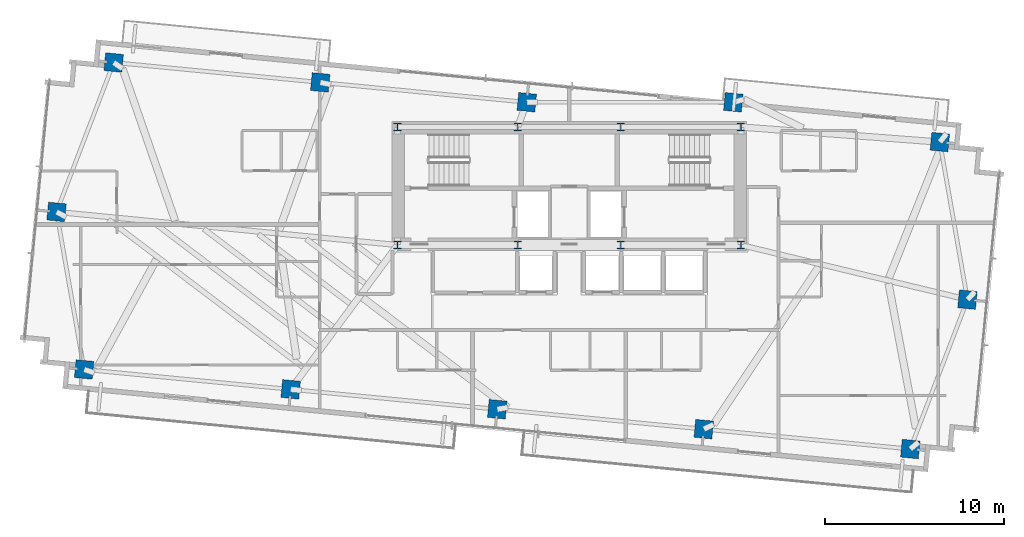
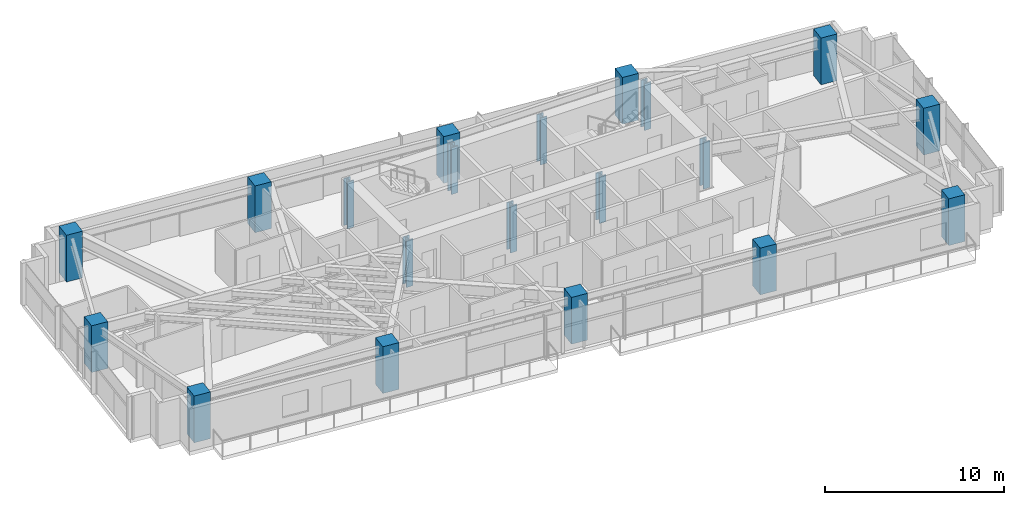
# One storey, part 1 of 20: 20 columns.
"""IFC4 building model written with IfcOpenShell, lengths in metres."""

from ifc_helpers import new_model, si_unit, direction, frame, origin, origin_2d, place, context, subcontext, project, spatial, rectangle, i_section, extrude, source, transform, mapped, material, material_profile, profile_set, type_object, type_shapes, element, save


model = new_model("IFC4")

# Units and contexts
model_context = context("Model", 3, precision=1e-05, world=origin(), true_north=direction((0.0, 1.0)))
body_context = subcontext(model_context, "Body", "Model", "MODEL_VIEW")
ifc_project = project(units=[si_unit("LENGTHUNIT", "METRE"), si_unit("AREAUNIT", "SQUARE_METRE"), si_unit("VOLUMEUNIT", "CUBIC_METRE"), si_unit("PLANEANGLEUNIT", "RADIAN"), si_unit("MASSUNIT", "GRAM", prefix="KILO")], contexts=[model_context])

# Site, building, storey
site_placement = place(None, origin())
site = spatial("IfcSite", under=ifc_project, at=site_placement, CompositionType="ELEMENT")
building_placement = place(site_placement, origin())
building = spatial("IfcBuilding", under=site, at=building_placement, Name="Astriad Promenade Condominiums", CompositionType="ELEMENT")
storey_placement = place(building_placement, frame((0.0, 0.0, 159.800048828125)))
storey = spatial("IfcBuildingStorey", under=building, at=storey_placement, Name="L46", CompositionType="ELEMENT", Elevation=159.800048828125)

# Columns
ifc_material_1 = material(Name="Steel ASTM A992 Grade 50", Category="steel")
ifc_material_profile_1 = material_profile(ifc_material_1, i_section(OverallWidth=0.42138671875, OverallDepth=0.464599609375, WebThickness=0.044921875, FlangeThickness=0.072509765625, FilletRadius=0.017822265625, at=origin_2d()), Name="W14X398")
ifc_profile_set_1 = profile_set([ifc_material_profile_1], Name="Steel ASTM A992 Grade 50")
column_type_1 = type_object("IfcColumnType", Name="STEEL CORE PILASTER W14X398", PredefinedType="PILASTER", material=ifc_profile_set_1)
shared_shape_1 = source(origin(), body_context, "Body", "SweptSolid", [
    extrude(i_section(OverallWidth=0.42138671875, OverallDepth=0.464599609375, WebThickness=0.044921875, FlangeThickness=0.072509765625, FilletRadius=0.017822265625, at=origin_2d()), origin(), (0.0, 0.0, 1.0), 3.196044921875),
])
type_shapes(column_type_1, [shared_shape_1])
for number, where, z_axis, x_axis, name in (
    (1, (26.39990234375, 17.39990234375, 0.001953125), (0.0, 0.0, 1.0), (1.0, 0.0, 0.0), "Core Pilaster Column CP1 (L46)"),
    (2, (33.1201171875, 17.39990234375, 0.001953125), (0.0, 0.0, 1.0), (1.0, 0.0, 0.0), "Core Pilaster Column CP2 (L46)"),
    (3, (38.8798828125, 17.39990234375, 0.001953125), (0.0, 0.0, 1.0), (1.0, 0.0, 0.0), "Core Pilaster Column CP3 (L46)"),
    (4, (45.60009765625, 17.39990234375, 0.001953125), (0.0, 0.0, 1.0), (1.0, 0.0, 0.0), "Core Pilaster Column CP4 (L46)"),
    (5, (26.39990234375, 24.0, 0.001953125), (0.0, 0.0, 1.0), (1.0, 0.0, 0.0), "Core Pilaster Column CP5 (L46)"),
    (6, (33.1201171875, 24.0, 0.001953125), (0.0, 0.0, 1.0), (1.0, 0.0, 0.0), "Core Pilaster Column CP6 (L46)"),
    (7, (38.8798828125, 24.0, 0.001953125), (0.0, 0.0, 1.0), (1.0, 0.0, 0.0), "Core Pilaster Column CP7 (L46)"),
    (8, (45.60009765625, 24.0, 0.001953125), (0.0, 0.0, 1.0), (1.0, 0.0, 0.0), "Core Pilaster Column CP8 (L46)"),
):
    element("IfcColumn", number, at=place(storey_placement, frame(where, z_axis=z_axis, x_axis=x_axis)), inside=storey, type_object=column_type_1, Name=name, PredefinedType="PILASTER", context=body_context, shape_type="MappedRepresentation", body=[
        mapped(shared_shape_1, transform((0.0, 0.0, 0.0), scale=1.0)),
    ])
ifc_material_2 = material(Name="Concrete C60/75", Category="concrete")
ifc_material_profile_2 = material_profile(ifc_material_2, rectangle(XDim=1.0, YDim=1.0, at=origin_2d()), Name="RC-COL-1000X1000")
ifc_profile_set_2 = profile_set([ifc_material_profile_2], Name="Concrete C60/75")
column_type_2 = type_object("IfcColumnType", Name="CONCRETE TOWER COLUMN 1000X1000", PredefinedType="COLUMN", material=ifc_profile_set_2)
shared_shape_2 = source(origin(), body_context, "Body", "SweptSolid", [
    extrude(rectangle(XDim=1.0, YDim=1.0, at=origin_2d()), origin(), (0.0, 0.0, 1.0), 3.194091796875),
])
type_shapes(column_type_2, [shared_shape_2])
for number, where, z_axis, x_axis, name in (
    (9, (8.880615234375, 10.443359375, 0.001953125), (0.0, 0.0, 1.0), (0.995396198367, -0.09584575252, 0.0), "Perimeter Column PC01 (L46)"),
    (10, (20.42724609375, 9.33154296875, 0.001953125), (0.0, 0.0, 1.0), (0.995396198367, -0.09584575252, 0.0), "Perimeter Column PC02 (L46)"),
    (11, (31.973876953125, 8.2197265625, 0.001953125), (0.0, 0.0, 1.0), (0.995396198367, -0.09584575252, 0.0), "Perimeter Column PC03 (L46)"),
    (12, (43.5205078125, 7.10791015625, 0.001953125), (0.0, 0.0, 1.0), (0.995396198367, -0.09584575252, 0.0), "Perimeter Column PC04 (L46)"),
    (13, (55.06689453125, 5.99609375, 0.001953125), (0.0, 0.0, 1.0), (0.995396198367, -0.09584575252, 0.0), "Perimeter Column PC05 (L46)"),
    (14, (10.532958984375, 27.60400390625, 0.001953125), (0.0, 0.0, 1.0), (0.995396198367, -0.09584575252, 0.0), "Perimeter Column PC06 (L46)"),
    (15, (22.07958984375, 26.4921875, 0.001953125), (0.0, 0.0, 1.0), (0.995396198367, -0.09584575252, 0.0), "Perimeter Column PC07 (L46)"),
    (16, (33.626220703125, 25.38037109375, 0.001953125), (0.0, 0.0, 1.0), (0.995396198367, -0.09584575252, 0.0), "Perimeter Column PC08 (L46)"),
    (17, (45.1728515625, 25.3798828125, 0.001953125), (0.0, 0.0, 1.0), (0.995396198367, -0.09584575252, 0.0), "Perimeter Column PC09 (L46)"),
    (18, (56.719482421875, 23.15673828125, 0.001953125), (0.0, 0.0, 1.0), (0.995396198367, -0.09584575252, 0.0), "Perimeter Column PC10 (L46)"),
    (19, (7.337890625, 19.251708984375, 0.001953125), (0.0, 0.0, 1.0), (0.995396198367, -0.09584575252, 0.0), "Perimeter Column PC11 (L46)"),
    (20, (58.26220703125, 14.348388671875, 0.001953125), (0.0, 0.0, 1.0), (0.995396198367, -0.09584575252, 0.0), "Perimeter Column PC12 (L46)"),
):
    element("IfcColumn", number, at=place(storey_placement, frame(where, z_axis=z_axis, x_axis=x_axis)), inside=storey, type_object=column_type_2, Name=name, PredefinedType="COLUMN", context=body_context, shape_type="MappedRepresentation", body=[
        mapped(shared_shape_2, transform((0.0, 0.0, 0.0), scale=1.0)),
    ])

save(model, "model.ifc")
